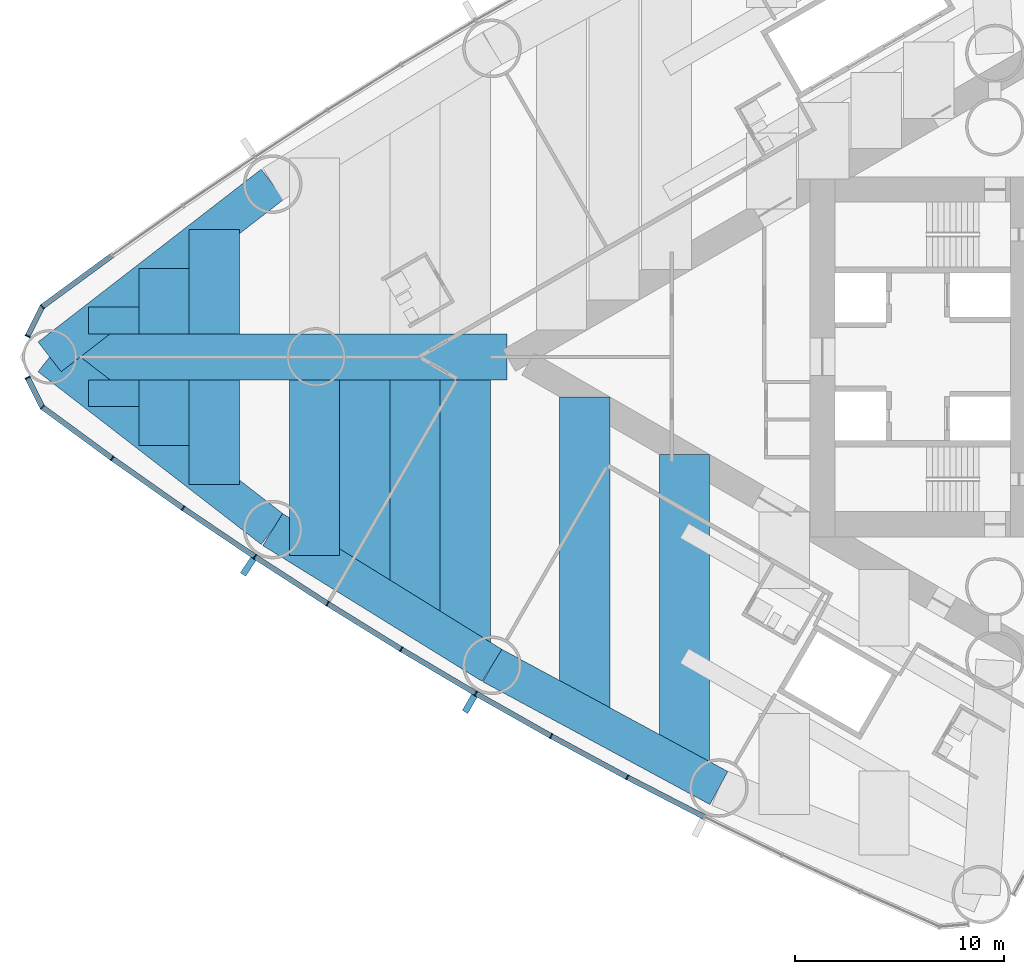
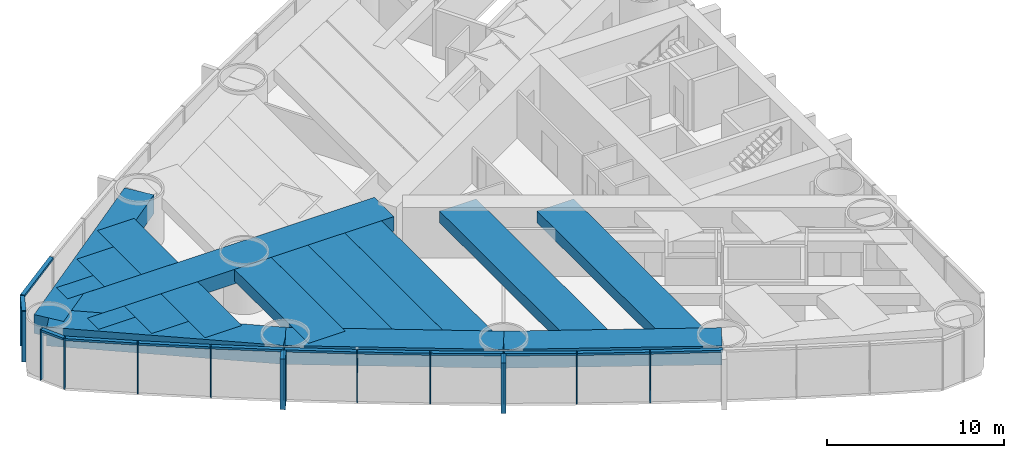
# One storey, part 2 of 18: 26 members, 17 beams, 2 elements without a shape of their own.
"""IFC4 building model written with IfcOpenShell, lengths in metres."""

from ifc_helpers import new_model, si_unit, direction, frame, origin, origin_2d, place, context, subcontext, project, spatial, rectangle, extrude, material, material_profile, profile_set, type_object, element, aggregate, save


model = new_model("IFC4")

# Units and contexts
model_context = context("Model", 3, precision=1e-05, world=origin(), true_north=direction((0.0, 1.0)))
body_context = subcontext(model_context, "Body", "Model", "MODEL_VIEW")
ifc_project = project(units=[si_unit("LENGTHUNIT", "METRE"), si_unit("AREAUNIT", "SQUARE_METRE"), si_unit("VOLUMEUNIT", "CUBIC_METRE"), si_unit("PLANEANGLEUNIT", "RADIAN"), si_unit("MASSUNIT", "GRAM", prefix="KILO")], contexts=[model_context])

# Site, building, storey
site_placement = place(None, origin())
site = spatial("IfcSite", under=ifc_project, at=site_placement, CompositionType="ELEMENT")
building_placement = place(site_placement, origin())
building = spatial("IfcBuilding", under=site, at=building_placement, Name="Lancet Gate Hotel", CompositionType="ELEMENT")
storey_placement = place(building_placement, frame((0.0, 0.0, 49.5)))
storey = spatial("IfcBuildingStorey", under=building, at=storey_placement, Name="L12", CompositionType="ELEMENT", Elevation=49.5)

# Curtain wall, members
ifc_material_1 = material(Name="Aluminium curtain wall", Category="aluminium")
curtain_wall_type = type_object("IfcCurtainWallType", Name="Tower unitised curtain wall", PredefinedType="USERDEFINED", material=ifc_material_1)
curtain_wall_1_placement = place(storey_placement, origin())
curtain_wall_1 = element("IfcCurtainWall", 1, at=curtain_wall_1_placement, inside=storey, type_object=curtain_wall_type, Name="T1 L12 curtain wall 2", ObjectType="UNITISED CURTAIN WALL", PredefinedType="USERDEFINED")
ifc_material_2 = material(Name="Aluminium mullion", Category="aluminium")
ifc_material_profile_1 = material_profile(ifc_material_2, rectangle(XDim=0.06494140625, YDim=0.25, at=origin_2d()), Name="MULLION 65x250")
ifc_profile_set_1 = profile_set([ifc_material_profile_1], Name="Aluminium mullion")
member_type_1 = type_object("IfcMemberType", Name="Aluminium mullion 65x250", PredefinedType="MULLION", material=ifc_profile_set_1)
member_1_placement = place(storey_placement, frame((-74.5830078125, 2.401611328125, 0.0), z_axis=(0.0, 0.0, 1.0), x_axis=(-0.723695580132, -0.690119342793, 0.0)))
member_1 = element("IfcMember", 2, at=member_1_placement, type_object=member_type_1, Name="T1 L12 curtain wall 2 mullion 14", PredefinedType="MULLION", context=body_context, shape_type="SweptSolid", body=[
    extrude(rectangle(XDim=0.06494140625, YDim=0.25, at=origin_2d()), origin(), (0.0, 0.0, 1.0), 3.5),
])
member_2_placement = place(storey_placement, frame((-75.287109375, 0.994873046875, 0.0), z_axis=(0.0, 0.0, 1.0), x_axis=(-0.447628324726, -0.89421970617, 0.0)))
member_2 = element("IfcMember", 3, at=member_2_placement, type_object=member_type_1, Name="T1 L12 curtain wall 2 mullion 15", PredefinedType="MULLION", context=body_context, shape_type="SweptSolid", body=[
    extrude(rectangle(XDim=0.06494140625, YDim=0.25, at=origin_2d()), origin(), (0.0, 0.0, 1.0), 3.5),
])

curtain_wall_2_placement = place(storey_placement, origin())
curtain_wall_2 = element("IfcCurtainWall", 4, at=curtain_wall_2_placement, inside=storey, type_object=curtain_wall_type, Name="T1 L12 curtain wall 3", ObjectType="UNITISED CURTAIN WALL", PredefinedType="USERDEFINED")
member_3_placement = place(storey_placement, frame((-75.287109375, -0.994873046875, 0.0), z_axis=(0.0, 0.0, 1.0), x_axis=(0.447628324726, -0.89421970617, 0.0)))
member_3 = element("IfcMember", 5, at=member_3_placement, type_object=member_type_1, Name="T1 L12 curtain wall 3 mullion 1", PredefinedType="MULLION", context=body_context, shape_type="SweptSolid", body=[
    extrude(rectangle(XDim=0.06494140625, YDim=0.25, at=origin_2d()), origin(), (0.0, 0.0, 1.0), 3.5),
])
member_4_placement = place(storey_placement, frame((-74.5830078125, -2.401611328125, 0.0), z_axis=(0.0, 0.0, 1.0), x_axis=(0.723695580132, -0.690119342793, 0.0)))
member_4 = element("IfcMember", 6, at=member_4_placement, type_object=member_type_1, Name="T1 L12 curtain wall 3 mullion 2", PredefinedType="MULLION", context=body_context, shape_type="SweptSolid", body=[
    extrude(rectangle(XDim=0.06494140625, YDim=0.25, at=origin_2d()), origin(), (0.0, 0.0, 1.0), 3.5),
])
member_5_placement = place(storey_placement, frame((-71.244384765625, -4.85009765625, 0.0), z_axis=(0.0, 0.0, 1.0), x_axis=(0.812146623168, -0.583453393578, 0.0)))
member_5 = element("IfcMember", 7, at=member_5_placement, type_object=member_type_1, Name="T1 L12 curtain wall 3 mullion 3", PredefinedType="MULLION", context=body_context, shape_type="SweptSolid", body=[
    extrude(rectangle(XDim=0.06494140625, YDim=0.25, at=origin_2d()), origin(), (0.0, 0.0, 1.0), 3.5),
])
member_6_placement = place(storey_placement, frame((-67.858154296875, -7.232666015625, 0.0), z_axis=(0.0, 0.0, 1.0), x_axis=(0.823425148573, -0.56742490666, 0.0)))
member_6 = element("IfcMember", 8, at=member_6_placement, type_object=member_type_1, Name="T1 L12 curtain wall 3 mullion 4", PredefinedType="MULLION", context=body_context, shape_type="SweptSolid", body=[
    extrude(rectangle(XDim=0.06494140625, YDim=0.25, at=origin_2d()), origin(), (0.0, 0.0, 1.0), 3.5),
])
member_7_placement = place(storey_placement, frame((-64.42626953125, -9.548583984375, 0.0), z_axis=(0.0, 0.0, 1.0), x_axis=(0.834387381945, -0.55117846189, 0.0)))
member_7 = element("IfcMember", 9, at=member_7_placement, type_object=member_type_1, Name="T1 L12 curtain wall 3 mullion 5", PredefinedType="MULLION", context=body_context, shape_type="SweptSolid", body=[
    extrude(rectangle(XDim=0.06494140625, YDim=0.25, at=origin_2d()), origin(), (0.0, 0.0, 1.0), 3.5),
])
member_8_placement = place(storey_placement, frame((-60.949462890625, -11.796630859375, 0.0), z_axis=(0.0, 0.0, 1.0), x_axis=(0.845029112489, -0.534720299827, 0.0)))
member_8 = element("IfcMember", 10, at=member_8_placement, type_object=member_type_1, Name="T1 L12 curtain wall 3 mullion 6", PredefinedType="MULLION", context=body_context, shape_type="SweptSolid", body=[
    extrude(rectangle(XDim=0.06494140625, YDim=0.25, at=origin_2d()), origin(), (0.0, 0.0, 1.0), 3.5),
])
member_9_placement = place(storey_placement, frame((-57.42919921875, -13.97607421875, 0.0), z_axis=(0.0, 0.0, 1.0), x_axis=(0.855346252548, -0.518056742309, 0.0)))
member_9 = element("IfcMember", 11, at=member_9_placement, type_object=member_type_1, Name="T1 L12 curtain wall 3 mullion 7", PredefinedType="MULLION", context=body_context, shape_type="SweptSolid", body=[
    extrude(rectangle(XDim=0.06494140625, YDim=0.25, at=origin_2d()), origin(), (0.0, 0.0, 1.0), 3.5),
])
member_10_placement = place(storey_placement, frame((-53.866943359375, -16.086181640625, 0.0), z_axis=(0.0, 0.0, 1.0), x_axis=(0.86533483912, -0.501194190115, 0.0)))
member_10 = element("IfcMember", 12, at=member_10_placement, type_object=member_type_1, Name="T1 L12 curtain wall 3 mullion 8", PredefinedType="MULLION", context=body_context, shape_type="SweptSolid", body=[
    extrude(rectangle(XDim=0.06494140625, YDim=0.25, at=origin_2d()), origin(), (0.0, 0.0, 1.0), 3.5),
])
member_11_placement = place(storey_placement, frame((-50.26416015625, -18.1259765625, 0.0), z_axis=(0.0, 0.0, 1.0), x_axis=(0.874991035403, -0.484139120464, 0.0)))
member_11 = element("IfcMember", 13, at=member_11_placement, type_object=member_type_1, Name="T1 L12 curtain wall 3 mullion 9", PredefinedType="MULLION", context=body_context, shape_type="SweptSolid", body=[
    extrude(rectangle(XDim=0.06494140625, YDim=0.25, at=origin_2d()), origin(), (0.0, 0.0, 1.0), 3.5),
])
member_12_placement = place(storey_placement, frame((-46.6220703125, -20.094970703125, 0.0), z_axis=(0.0, 0.0, 1.0), x_axis=(0.884311132302, -0.466898084475, 0.0)))
member_12 = element("IfcMember", 14, at=member_12_placement, type_object=member_type_1, Name="T1 L12 curtain wall 3 mullion 10", PredefinedType="MULLION", context=body_context, shape_type="SweptSolid", body=[
    extrude(rectangle(XDim=0.06494140625, YDim=0.25, at=origin_2d()), origin(), (0.0, 0.0, 1.0), 3.5),
])

# Member
ifc_material_3 = material(Name="Aluminium transom", Category="aluminium")
ifc_material_profile_2 = material_profile(ifc_material_3, rectangle(XDim=0.25, YDim=0.14990234375, at=origin_2d()), Name="TRANSOM 250x150")
ifc_profile_set_2 = profile_set([ifc_material_profile_2], Name="Aluminium transom")
member_type_2 = type_object("IfcMemberType", Name="Aluminium transom 250x150", PredefinedType="USERDEFINED", material=ifc_profile_set_2)
member_13_placement = place(storey_placement, frame((-71.2705078125, 4.8310546875, 3.425048828125), z_axis=(-0.806366902144, -0.59141560609, 0.0), x_axis=(0.59141560609, -0.806366902144, 0.0)))
member_13 = element("IfcMember", 15, at=member_13_placement, type_object=member_type_2, Name="T1 L12 curtain wall 2 transom 13", ObjectType="TRANSOM", PredefinedType="USERDEFINED", context=body_context, shape_type="SweptSolid", body=[
    extrude(rectangle(XDim=0.25, YDim=0.14990234375, at=origin_2d()), origin(), (0.0, 0.0, 1.0), 4.0751953125),
])

member_14_placement = place(storey_placement, frame((-74.597412109375, 2.37255859375, 3.425048828125), z_axis=(-0.447731503446, -0.894168049542, 0.0), x_axis=(0.894168049542, -0.447731503446, 0.0)))
member_14 = element("IfcMember", 16, at=member_14_placement, type_object=member_type_2, Name="T1 L12 curtain wall 2 transom 14", ObjectType="TRANSOM", PredefinedType="USERDEFINED", context=body_context, shape_type="SweptSolid", body=[
    extrude(rectangle(XDim=0.25, YDim=0.14990234375, at=origin_2d()), origin(), (0.0, 0.0, 1.0), 1.50830078125),
])

aggregate(curtain_wall_1, [member_1, member_2, member_13, member_14])

member_15_placement = place(storey_placement, frame((-75.272705078125, -1.02392578125, 3.425048828125), z_axis=(0.447731503446, -0.894168049542, 0.0), x_axis=(0.894168049542, 0.447731503446, 0.0)))
member_15 = element("IfcMember", 17, at=member_15_placement, type_object=member_type_2, Name="T1 L12 curtain wall 3 transom 1", ObjectType="TRANSOM", PredefinedType="USERDEFINED", context=body_context, shape_type="SweptSolid", body=[
    extrude(rectangle(XDim=0.25, YDim=0.14990234375, at=origin_2d()), origin(), (0.0, 0.0, 1.0), 1.50830078125),
])

member_16_placement = place(storey_placement, frame((-74.556640625, -2.4208984375, 3.425048828125), z_axis=(0.806366902144, -0.59141560609, 0.0), x_axis=(0.59141560609, 0.806366902144, 0.0)))
member_16 = element("IfcMember", 18, at=member_16_placement, type_object=member_type_2, Name="T1 L12 curtain wall 3 transom 2", ObjectType="TRANSOM", PredefinedType="USERDEFINED", context=body_context, shape_type="SweptSolid", body=[
    extrude(rectangle(XDim=0.25, YDim=0.14990234375, at=origin_2d()), origin(), (0.0, 0.0, 1.0), 4.0751953125),
])

member_17_placement = place(storey_placement, frame((-71.2177734375, -4.868896484375, 3.425048828125), z_axis=(0.817833568345, -0.57545482402, 0.0), x_axis=(0.57545482402, 0.817833568345, 0.0)))
member_17 = element("IfcMember", 19, at=member_17_placement, type_object=member_type_2, Name="T1 L12 curtain wall 3 transom 3", ObjectType="TRANSOM", PredefinedType="USERDEFINED", context=body_context, shape_type="SweptSolid", body=[
    extrude(rectangle(XDim=0.25, YDim=0.14990234375, at=origin_2d()), origin(), (0.0, 0.0, 1.0), 4.075439453125),
])

member_18_placement = place(storey_placement, frame((-67.831298828125, -7.2509765625, 3.425048828125), z_axis=(0.828959086782, -0.559309245804, 0.0), x_axis=(0.559309245804, 0.828959086782, 0.0)))
member_18 = element("IfcMember", 20, at=member_18_placement, type_object=member_type_2, Name="T1 L12 curtain wall 3 transom 4", ObjectType="TRANSOM", PredefinedType="USERDEFINED", context=body_context, shape_type="SweptSolid", body=[
    extrude(rectangle(XDim=0.25, YDim=0.14990234375, at=origin_2d()), origin(), (0.0, 0.0, 1.0), 4.0751953125),
])

member_19_placement = place(storey_placement, frame((-64.39892578125, -9.566162109375, 3.425048828125), z_axis=(0.839729242404, -0.543005340169, 0.0), x_axis=(0.543005340169, 0.839729242404, 0.0)))
member_19 = element("IfcMember", 21, at=member_19_placement, type_object=member_type_2, Name="T1 L12 curtain wall 3 transom 5", ObjectType="TRANSOM", PredefinedType="USERDEFINED", context=body_context, shape_type="SweptSolid", body=[
    extrude(rectangle(XDim=0.25, YDim=0.14990234375, at=origin_2d()), origin(), (0.0, 0.0, 1.0), 4.0751953125),
])

member_20_placement = place(storey_placement, frame((-60.921875, -11.813720703125, 3.425048828125), z_axis=(0.850242165643, -0.526391736032, 0.0), x_axis=(0.526391736032, 0.850242165643, 0.0)))
member_20 = element("IfcMember", 22, at=member_20_placement, type_object=member_type_2, Name="T1 L12 curtain wall 3 transom 6", ObjectType="TRANSOM", PredefinedType="USERDEFINED", context=body_context, shape_type="SweptSolid", body=[
    extrude(rectangle(XDim=0.25, YDim=0.14990234375, at=origin_2d()), origin(), (0.0, 0.0, 1.0), 4.075439453125),
])

member_21_placement = place(storey_placement, frame((-57.4013671875, -13.99267578125, 3.425048828125), z_axis=(0.86039174806, -0.509633240547, 0.0), x_axis=(0.509633240547, 0.86039174806, 0.0)))
member_21 = element("IfcMember", 23, at=member_21_placement, type_object=member_type_2, Name="T1 L12 curtain wall 3 transom 7", ObjectType="TRANSOM", PredefinedType="USERDEFINED", context=body_context, shape_type="SweptSolid", body=[
    extrude(rectangle(XDim=0.25, YDim=0.14990234375, at=origin_2d()), origin(), (0.0, 0.0, 1.0), 4.0751953125),
])

member_22_placement = place(storey_placement, frame((-53.838623046875, -16.102294921875, 3.425048828125), z_axis=(0.870197729943, -0.492702659625, 0.0), x_axis=(0.492702659625, 0.870197729943, 0.0)))
member_22 = element("IfcMember", 24, at=member_22_placement, type_object=member_type_2, Name="T1 L12 curtain wall 3 transom 8", ObjectType="TRANSOM", PredefinedType="USERDEFINED", context=body_context, shape_type="SweptSolid", body=[
    extrude(rectangle(XDim=0.25, YDim=0.14990234375, at=origin_2d()), origin(), (0.0, 0.0, 1.0), 4.0751953125),
])

member_23_placement = place(storey_placement, frame((-50.235595703125, -18.1416015625, 3.425048828125), z_axis=(0.87971396408, -0.475503250675, 0.0), x_axis=(0.475503250675, 0.87971396408, 0.0)))
member_23 = element("IfcMember", 25, at=member_23_placement, type_object=member_type_2, Name="T1 L12 curtain wall 3 transom 9", ObjectType="TRANSOM", PredefinedType="USERDEFINED", context=body_context, shape_type="SweptSolid", body=[
    extrude(rectangle(XDim=0.25, YDim=0.14990234375, at=origin_2d()), origin(), (0.0, 0.0, 1.0), 4.0751953125),
])

member_24_placement = place(storey_placement, frame((-46.593017578125, -20.10986328125, 3.425048828125), z_axis=(0.888859972399, -0.458178949175, 0.0), x_axis=(0.458178949175, 0.888859972399, 0.0)))
member_24 = element("IfcMember", 26, at=member_24_placement, type_object=member_type_2, Name="T1 L12 curtain wall 3 transom 10", ObjectType="TRANSOM", PredefinedType="USERDEFINED", context=body_context, shape_type="SweptSolid", body=[
    extrude(rectangle(XDim=0.25, YDim=0.14990234375, at=origin_2d()), origin(), (0.0, 0.0, 1.0), 4.0751953125),
])

# Beams
ifc_material_4 = material(Name="Concrete C50/60", Category="concrete")
ifc_material_profile_3 = material_profile(ifc_material_4, rectangle(XDim=1.800048828125, YDim=1.300048828125, at=origin_2d()), Name="RC 1800x1300")
ifc_profile_set_3 = profile_set([ifc_material_profile_3], Name="Concrete C50/60")
beam_type_1 = type_object("IfcBeamType", Name="Edge beam RC 1800x1300", PredefinedType="SPANDREL", material=ifc_profile_set_3)
for number, where, z_axis, x_axis, name in (
    (27, (-63.57177734375, 8.255126953125, 2.60009765625), (-0.790736428665, -0.612156761281, 0.0), (0.612156761281, -0.790736428665, 0.0), "T1 edge beam EB1 L12"),
    (28, (-74.235107421875, 0.0, 2.60009765625), (0.790736428665, -0.612156761281, 0.0), (0.612156761281, 0.790736428665, 0.0), "T1 edge beam EB1 L12"),
):
    element("IfcBeam", number, at=place(storey_placement, frame(where, z_axis=z_axis, x_axis=x_axis)), inside=storey, type_object=beam_type_1, Name=name, PredefinedType="SPANDREL", context=body_context, shape_type="SweptSolid", body=[
        extrude(rectangle(XDim=1.800048828125, YDim=1.300048828125, at=origin_2d()), origin(), (0.0, 0.0, 1.0), 13.4853515625),
    ])
for number, where, z_axis, x_axis, name in (
    (29, (-63.57177734375, -8.255126953125, 2.60009765625), (0.850225894333, -0.526418016984, 0.0), (0.526418016984, 0.850225894333, 0.0), "T1 edge beam EB1 L12"),
    (30, (-53.090087890625, -14.744873046875, 2.60009765625), (0.879692855603, -0.475542300749, 0.0), (0.475542300749, 0.879692855603, 0.0), "T1 edge beam EB1 L12"),
):
    element("IfcBeam", number, at=place(storey_placement, frame(where, z_axis=z_axis, x_axis=x_axis)), inside=storey, type_object=beam_type_1, Name=name, PredefinedType="SPANDREL", context=body_context, shape_type="SweptSolid", body=[
        extrude(rectangle(XDim=1.800048828125, YDim=1.300048828125, at=origin_2d()), origin(), (0.0, 0.0, 1.0), 12.328125),
    ])

# Member
ifc_material_5 = material(Name="Precast concrete C50/60", Category="concrete")
ifc_material_profile_4 = material_profile(ifc_material_5, rectangle(XDim=0.300048828125, YDim=0.89990234375, at=origin_2d()), Name="FIN 300x900")
ifc_profile_set_4 = profile_set([ifc_material_profile_4], Name="Precast concrete C50/60")
member_type_3 = type_object("IfcMemberType", Name="Exposed concrete fin 300x900", PredefinedType="USERDEFINED", material=ifc_profile_set_4)
member_25_placement = place(storey_placement, frame((-64.7431640625, -10.0283203125, 0.0), z_axis=(0.0, 0.0, 1.0), x_axis=(0.834387381945, -0.55117846189, 0.0)))
member_25 = element("IfcMember", 31, at=member_25_placement, type_object=member_type_3, Name="T1 L12 curtain wall 3 fin 5", ObjectType="FIN", PredefinedType="USERDEFINED", context=body_context, shape_type="SweptSolid", body=[
    extrude(rectangle(XDim=0.300048828125, YDim=0.89990234375, at=origin_2d()), origin(), (0.0, 0.0, 1.0), 3.5),
])

member_26_placement = place(storey_placement, frame((-54.1552734375, -16.583740234375, 0.0), z_axis=(0.0, 0.0, 1.0), x_axis=(0.86533483912, -0.501194190115, 0.0)))
member_26 = element("IfcMember", 32, at=member_26_placement, type_object=member_type_3, Name="T1 L12 curtain wall 3 fin 8", ObjectType="FIN", PredefinedType="USERDEFINED", context=body_context, shape_type="SweptSolid", body=[
    extrude(rectangle(XDim=0.300048828125, YDim=0.89990234375, at=origin_2d()), origin(), (0.0, 0.0, 1.0), 3.5),
])

aggregate(curtain_wall_2, [member_3, member_4, member_5, member_6, member_7, member_25, member_8, member_9, member_10, member_26, member_11, member_12, member_15, member_16, member_17, member_18, member_19, member_20, member_21, member_22, member_23, member_24])

# Beams
ifc_material_6 = material(Name="Concrete C50/60", Category="concrete")
ifc_material_profile_5 = material_profile(ifc_material_6, rectangle(XDim=2.39990234375, YDim=0.800048828125, at=origin_2d()), Name="RC 2400x800")
ifc_profile_set_5 = profile_set([ifc_material_profile_5], Name="Concrete C50/60")
beam_type_2 = type_object("IfcBeamType", Name="Floor beam RC 2400x800", PredefinedType="BEAM", material=ifc_profile_set_5)
beam_1_placement = place(storey_placement, frame((-43.891357421875, -4.663330078125, 2.85009765625), z_axis=(0.0, -1.0, 0.0), x_axis=(1.0, 0.0, 0.0)))
element("IfcBeam", 33, at=beam_1_placement, inside=storey, type_object=beam_type_2, Name="T1 floor beam F08N L12", PredefinedType="BEAM", context=body_context, shape_type="SweptSolid", body=[
    extrude(rectangle(XDim=2.39990234375, YDim=0.800048828125, at=origin_2d()), origin(), (0.0, 0.0, 1.0), 15.05419921875),
])
beam_2_placement = place(storey_placement, frame((-48.66015625, -1.909912109375, 2.85009765625), z_axis=(0.0, -1.0, 0.0), x_axis=(1.0, 0.0, 0.0)))
element("IfcBeam", 34, at=beam_2_placement, inside=storey, type_object=beam_type_2, Name="T1 floor beam F11N L12", PredefinedType="BEAM", context=body_context, shape_type="SweptSolid", body=[
    extrude(rectangle(XDim=2.39990234375, YDim=0.800048828125, at=origin_2d()), origin(), (0.0, 0.0, 1.0), 15.229736328125),
])
beam_3_placement = place(storey_placement, frame((-54.3681640625, -1.10009765625, 2.85009765625), z_axis=(0.0, -1.0, 0.0), x_axis=(1.0, 0.0, 0.0)))
element("IfcBeam", 35, at=beam_3_placement, inside=storey, type_object=beam_type_2, Name="T1 floor beam F14N L12", PredefinedType="BEAM", context=body_context, shape_type="SweptSolid", body=[
    extrude(rectangle(XDim=2.39990234375, YDim=0.800048828125, at=origin_2d()), origin(), (0.0, 0.0, 1.0), 12.853515625),
])
beam_4_placement = place(storey_placement, frame((-56.768310546875, -1.10009765625, 2.85009765625), z_axis=(0.0, -1.0, 0.0), x_axis=(1.0, 0.0, 0.0)))
element("IfcBeam", 36, at=beam_4_placement, inside=storey, type_object=beam_type_2, Name="T1 floor beam F16N L12", PredefinedType="BEAM", context=body_context, shape_type="SweptSolid", body=[
    extrude(rectangle(XDim=2.39990234375, YDim=0.800048828125, at=origin_2d()), origin(), (0.0, 0.0, 1.0), 11.367431640625),
])
beam_5_placement = place(storey_placement, frame((-59.168212890625, -1.10009765625, 2.85009765625), z_axis=(0.0, -1.0, 0.0), x_axis=(1.0, 0.0, 0.0)))
element("IfcBeam", 37, at=beam_5_placement, inside=storey, type_object=beam_type_2, Name="T1 floor beam F18N L12", PredefinedType="BEAM", context=body_context, shape_type="SweptSolid", body=[
    extrude(rectangle(XDim=2.39990234375, YDim=0.800048828125, at=origin_2d()), origin(), (0.0, 0.0, 1.0), 9.881591796875),
])
beam_6_placement = place(storey_placement, frame((-61.568359375, -1.10009765625, 2.85009765625), z_axis=(0.0, -1.0, 0.0), x_axis=(1.0, 0.0, 0.0)))
element("IfcBeam", 38, at=beam_6_placement, inside=storey, type_object=beam_type_2, Name="T1 floor beam F20N L12", PredefinedType="BEAM", context=body_context, shape_type="SweptSolid", body=[
    extrude(rectangle(XDim=2.39990234375, YDim=0.800048828125, at=origin_2d()), origin(), (0.0, 0.0, 1.0), 8.395751953125),
])
for number, where, z_axis, x_axis, name in (
    (39, (-66.3681640625, 6.09033203125, 2.85009765625), (0.0, -1.0, 0.0), (1.0, 0.0, 0.0), "T1 floor beam F21S L12"),
    (40, (-66.3681640625, -1.10009765625, 2.85009765625), (0.0, -1.0, 0.0), (1.0, 0.0, 0.0), "T1 floor beam F22N L12"),
):
    element("IfcBeam", number, at=place(storey_placement, frame(where, z_axis=z_axis, x_axis=x_axis)), inside=storey, type_object=beam_type_2, Name=name, PredefinedType="BEAM", context=body_context, shape_type="SweptSolid", body=[
        extrude(rectangle(XDim=2.39990234375, YDim=0.800048828125, at=origin_2d()), origin(), (0.0, 0.0, 1.0), 4.990234375),
    ])
for number, where, z_axis, x_axis, name in (
    (41, (-68.768310546875, 4.232421875, 2.85009765625), (0.0, -1.0, 0.0), (1.0, 0.0, 0.0), "T1 floor beam F23S L12"),
    (42, (-68.768310546875, -1.10009765625, 2.85009765625), (0.0, -1.0, 0.0), (1.0, 0.0, 0.0), "T1 floor beam F24N L12"),
):
    element("IfcBeam", number, at=place(storey_placement, frame(where, z_axis=z_axis, x_axis=x_axis)), inside=storey, type_object=beam_type_2, Name=name, PredefinedType="BEAM", context=body_context, shape_type="SweptSolid", body=[
        extrude(rectangle(XDim=2.39990234375, YDim=0.800048828125, at=origin_2d()), origin(), (0.0, 0.0, 1.0), 3.13232421875),
    ])
for number, where, z_axis, x_axis, name in (
    (43, (-71.168212890625, 2.374267578125, 2.85009765625), (0.0, -1.0, 0.0), (1.0, 0.0, 0.0), "T1 floor beam F25S L12"),
    (44, (-71.168212890625, -1.10009765625, 2.85009765625), (0.0, -1.0, 0.0), (1.0, 0.0, 0.0), "T1 floor beam F26N L12"),
):
    element("IfcBeam", number, at=place(storey_placement, frame(where, z_axis=z_axis, x_axis=x_axis)), inside=storey, type_object=beam_type_2, Name=name, PredefinedType="BEAM", context=body_context, shape_type="SweptSolid", body=[
        extrude(rectangle(XDim=2.39990234375, YDim=0.800048828125, at=origin_2d()), origin(), (0.0, 0.0, 1.0), 1.274169921875),
    ])
ifc_material_7 = material(Name="Concrete C50/60", Category="concrete")
ifc_material_profile_6 = material_profile(ifc_material_7, rectangle(XDim=2.199951171875, YDim=1.0, at=origin_2d()), Name="RC 2200x1000")
ifc_profile_set_6 = profile_set([ifc_material_profile_6], Name="Concrete C50/60")
beam_type_3 = type_object("IfcBeamType", Name="Radial floor beam RC 2200x1000", PredefinedType="BEAM", material=ifc_profile_set_6)
beam_7_placement = place(storey_placement, frame((-74.235107421875, 0.0, 2.75), z_axis=(1.0, 0.0, 0.0), x_axis=(0.0, 1.0, 0.0)))
element("IfcBeam", 45, at=beam_7_placement, inside=storey, type_object=beam_type_3, Name="T1 radial beam CA L12", PredefinedType="BEAM", context=body_context, shape_type="SweptSolid", body=[
    extrude(rectangle(XDim=2.199951171875, YDim=1.0, at=origin_2d()), origin(), (0.0, 0.0, 1.0), 21.866943359375),
])

save(model, "model.ifc")
